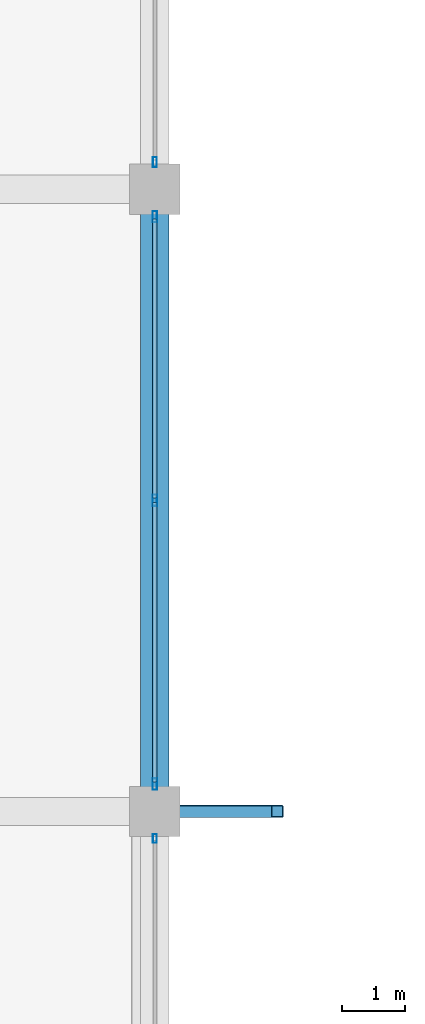
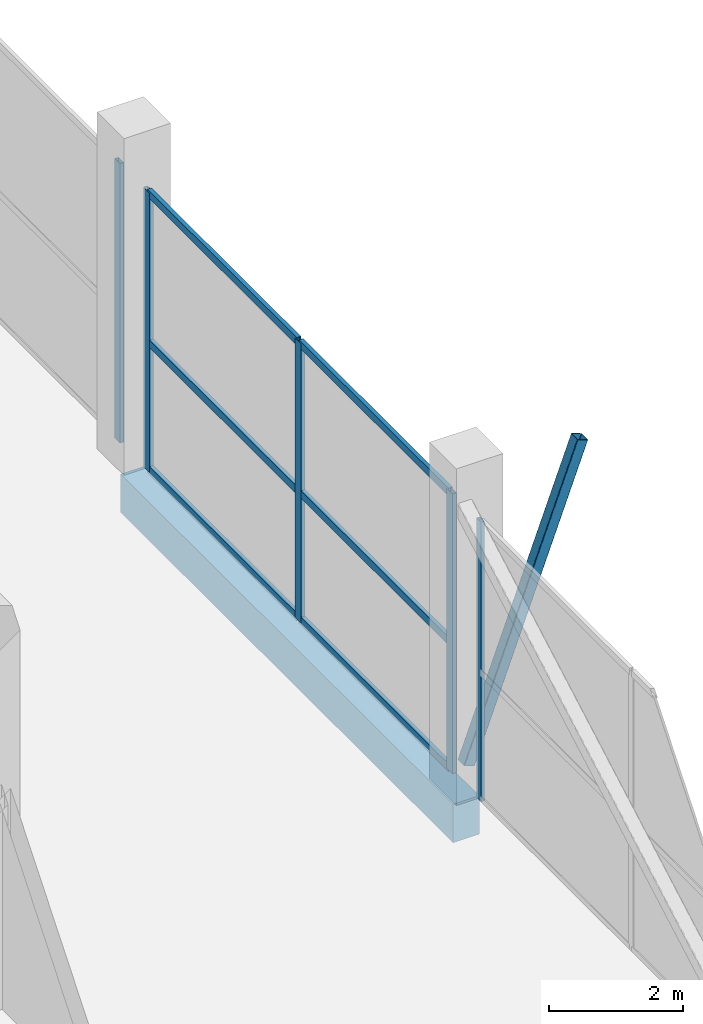
# One storey, part 12 of 46: 12 members, 1 beam, 3 elements without a shape of their own.
"""IFC4 building model written with IfcOpenShell, lengths in metres."""

from ifc_helpers import new_model, si_unit, direction, frame, origin, origin_2d, place, context, subcontext, project, spatial, rectangle, hollow_rectangle, extrude, material, layer, layer_set, material_profile, profile_set, type_object, element, aggregate, save


model = new_model("IFC4")

# Units and contexts
model_context = context("Model", 3, precision=1e-05, world=origin(), true_north=direction((0.0, 1.0)))
body_context = subcontext(model_context, "Body", "Model", "MODEL_VIEW")
ifc_project = project(units=[si_unit("LENGTHUNIT", "METRE"), si_unit("AREAUNIT", "SQUARE_METRE"), si_unit("VOLUMEUNIT", "CUBIC_METRE"), si_unit("PLANEANGLEUNIT", "RADIAN"), si_unit("MASSUNIT", "GRAM", prefix="KILO")], contexts=[model_context])

# Site, building, storey
site_placement = place(None, origin())
site = spatial("IfcSite", under=ifc_project, at=site_placement, CompositionType="ELEMENT")
building_placement = place(site_placement, origin())
building = spatial("IfcBuilding", under=site, at=building_placement, Name="Sillaruma Civic Art Gallery", CompositionType="ELEMENT")
storey_placement = place(building_placement, frame((0.0, 0.0, 16.320068359375)))
storey = spatial("IfcBuildingStorey", under=building, at=storey_placement, Name="L03", CompositionType="ELEMENT", Elevation=16.320068359375)

# Beam
ifc_material_1 = material(Name="Concrete H35 (35 MPa)", Category="concrete")
ifc_material_profile_1 = material_profile(ifc_material_1, rectangle(XDim=0.449951171875, YDim=0.699951171875, at=origin_2d()), Name="RCB450x700")
ifc_profile_set_1 = profile_set([ifc_material_profile_1], Name="Concrete H35 (35 MPa)")
beam_type = type_object("IfcBeamType", Name="BM-SPANDREL-RCB450x700", PredefinedType="SPANDREL", material=ifc_profile_set_1)
beam_placement = place(storey_placement, frame((114.39990234375, 49.5, -0.630126953125), z_axis=(0.0, 1.0, 0.0), x_axis=(-1.0, 0.0, 0.0)))
element("IfcBeam", 1, at=beam_placement, inside=storey, type_object=beam_type, Name="Beam BS-03 (L02:N:6-7)", PredefinedType="SPANDREL", context=body_context, shape_type="SweptSolid", body=[
    extrude(rectangle(XDim=0.449951171875, YDim=0.699951171875, at=origin_2d()), origin(), (0.0, 0.0, 1.0), 9.89990234375),
])

# Curtain wall, member
ifc_material_2 = material(Name="Thermally Broken Extruded Aluminium 6063-T6", Category="aluminium")
ifc_layer_1 = layer(ifc_material_2, 0.139892578125, Name="Thermally Broken Extruded Aluminium 6063-T6")
ifc_layer_set_1 = layer_set([ifc_layer_1], Name="Thermally Broken Extruded Aluminium 6063-T6")
curtain_wall_type_1 = type_object("IfcCurtainWallType", Name="CW-UNI-20", PredefinedType="NOTDEFINED", material=ifc_layer_set_1)
curtain_wall_1_placement = place(storey_placement, origin())
curtain_wall_1 = element("IfcCurtainWall", 2, at=curtain_wall_1_placement, inside=storey, type_object=curtain_wall_type_1, Name="Unitised Curtain Wall CW-20 (CW-L03-E-3)", PredefinedType="NOTDEFINED")
ifc_material_profile_2 = material_profile(ifc_material_2, hollow_rectangle(XDim=0.06005859375, YDim=0.139892578125, WallThickness=0.00341796875, at=origin_2d()), Name="CWM60x140")
ifc_profile_set_2 = profile_set([ifc_material_profile_2], Name="Thermally Broken Extruded Aluminium 6063-T6")
member_type_1 = type_object("IfcMemberType", Name="MEM-MUL-CWM60x140", PredefinedType="MULLION", material=ifc_profile_set_2)
member_1_placement = place(storey_placement, frame((114.39990234375, 49.070068359375, 0.0), z_axis=(0.0, 0.0, 1.0), x_axis=(-1.0, 0.0, 0.0)))
member_1 = element("IfcMember", 3, at=member_1_placement, type_object=member_type_1, Name="CW-20 mullion 3", PredefinedType="MULLION", context=body_context, shape_type="SweptSolid", body=[
    extrude(hollow_rectangle(XDim=0.06005859375, YDim=0.139892578125, WallThickness=0.00341796875, at=origin_2d()), origin(), (0.0, 0.0, 1.0), 5.079833984375),
])
aggregate(curtain_wall_1, [member_1])

ifc_layer_2 = layer(ifc_material_2, 0.159912109375, Name="Thermally Broken Extruded Aluminium 6063-T6")
ifc_layer_set_2 = layer_set([ifc_layer_2], Name="Thermally Broken Extruded Aluminium 6063-T6")
curtain_wall_type_2 = type_object("IfcCurtainWallType", Name="CW-UNI-24", PredefinedType="NOTDEFINED", material=ifc_layer_set_2)
curtain_wall_2_placement = place(storey_placement, origin())
curtain_wall_2 = element("IfcCurtainWall", 4, at=curtain_wall_2_placement, inside=storey, type_object=curtain_wall_type_2, Name="Unitised Curtain Wall CW-24 (CW-L03-E-5)", PredefinedType="NOTDEFINED")
ifc_material_profile_3 = material_profile(ifc_material_2, hollow_rectangle(XDim=0.06494140625, YDim=0.159912109375, WallThickness=0.00390625, at=origin_2d()), Name="CWM65x160")
ifc_profile_set_3 = profile_set([ifc_material_profile_3], Name="Thermally Broken Extruded Aluminium 6063-T6")
member_type_2 = type_object("IfcMemberType", Name="MEM-MUL-CWM65x160", PredefinedType="MULLION", material=ifc_profile_set_3)
member_2_placement = place(storey_placement, frame((114.39990234375, 59.83251953125, 0.0), z_axis=(0.0, 0.0, 1.0), x_axis=(-1.0, 0.0, 0.0)))
member_2 = element("IfcMember", 5, at=member_2_placement, type_object=member_type_2, Name="CW-24 mullion 1", PredefinedType="MULLION", context=body_context, shape_type="SweptSolid", body=[
    extrude(hollow_rectangle(XDim=0.06494140625, YDim=0.159912109375, WallThickness=0.00390625, at=origin_2d()), origin(), (0.0, 0.0, 1.0), 5.079833984375),
])
aggregate(curtain_wall_2, [member_2])

# Curtain wall, members
ifc_layer_3 = layer(ifc_material_2, 0.179931640625, Name="Thermally Broken Extruded Aluminium 6063-T6")
ifc_layer_set_3 = layer_set([ifc_layer_3], Name="Thermally Broken Extruded Aluminium 6063-T6")
curtain_wall_type_3 = type_object("IfcCurtainWallType", Name="CW-UNI-22", PredefinedType="NOTDEFINED", material=ifc_layer_set_3)
curtain_wall_3_placement = place(storey_placement, origin())
curtain_wall_3 = element("IfcCurtainWall", 6, at=curtain_wall_3_placement, inside=storey, type_object=curtain_wall_type_3, Name="Unitised Curtain Wall CW-22 (CW-L03-E-4)", PredefinedType="NOTDEFINED")
ifc_material_profile_4 = material_profile(ifc_material_2, hollow_rectangle(XDim=0.070068359375, YDim=0.179931640625, WallThickness=0.00390625, at=origin_2d()), Name="CWM70x180")
ifc_profile_set_4 = profile_set([ifc_material_profile_4], Name="Thermally Broken Extruded Aluminium 6063-T6")
member_type_3 = type_object("IfcMemberType", Name="MEM-MUL-CWM70x180", PredefinedType="MULLION", material=ifc_profile_set_4)
member_3_placement = place(storey_placement, frame((114.39990234375, 49.93505859375, 0.0), z_axis=(0.0, 0.0, 1.0), x_axis=(-1.0, 0.0, 0.0)))
member_3 = element("IfcMember", 7, at=member_3_placement, type_object=member_type_3, Name="CW-22 mullion 1", PredefinedType="MULLION", context=body_context, shape_type="SweptSolid", body=[
    extrude(hollow_rectangle(XDim=0.070068359375, YDim=0.179931640625, WallThickness=0.00390625, at=origin_2d()), origin(), (0.0, 0.0, 1.0), 5.079833984375),
])
member_4_placement = place(storey_placement, frame((114.39990234375, 54.449951171875, 0.0), z_axis=(0.0, 0.0, 1.0), x_axis=(-1.0, 0.0, 0.0)))
member_4 = element("IfcMember", 8, at=member_4_placement, type_object=member_type_3, Name="CW-22 mullion 2", PredefinedType="MULLION", context=body_context, shape_type="SweptSolid", body=[
    extrude(hollow_rectangle(XDim=0.070068359375, YDim=0.179931640625, WallThickness=0.00390625, at=origin_2d()), origin(), (0.0, 0.0, 1.0), 5.079833984375),
])
member_5_placement = place(storey_placement, frame((114.39990234375, 58.965087890625, 0.0), z_axis=(0.0, 0.0, 1.0), x_axis=(-1.0, 0.0, 0.0)))
member_5 = element("IfcMember", 9, at=member_5_placement, type_object=member_type_3, Name="CW-22 mullion 3", PredefinedType="MULLION", context=body_context, shape_type="SweptSolid", body=[
    extrude(hollow_rectangle(XDim=0.070068359375, YDim=0.179931640625, WallThickness=0.00390625, at=origin_2d()), origin(), (0.0, 0.0, 1.0), 5.079833984375),
])

# Member
ifc_material_3 = material(Name="Structural Steel ASTM A500 Gr.C", Category="steel")
ifc_material_profile_5 = material_profile(ifc_material_3, hollow_rectangle(XDim=0.199951171875, YDim=0.199951171875, WallThickness=0.010009765625, InnerFilletRadius=0.010009765625, OuterFilletRadius=0.02001953125, at=origin_2d()), Name="HSS200x200x10")
ifc_profile_set_5 = profile_set([ifc_material_profile_5], Name="Structural Steel ASTM A500 Gr.C")
member_type_4 = type_object("IfcMemberType", Name="MEM-PROW-BRACE", PredefinedType="BRACE", material=ifc_profile_set_5)
member_6_placement = place(storey_placement, frame((114.39990234375, 49.5, 0.39990234375), z_axis=(0.348530489684, 0.0, 0.93729744359), x_axis=(0.0, 1.0, 0.0)))
element("IfcMember", 10, at=member_6_placement, inside=storey, type_object=member_type_4, Name="Deconstructivist Prow Diagonal Brace (PRW-L04-E-FLR-S)", PredefinedType="BRACE", context=body_context, shape_type="SweptSolid", body=[
    extrude(hollow_rectangle(XDim=0.199951171875, YDim=0.199951171875, WallThickness=0.010009765625, InnerFilletRadius=0.010009765625, OuterFilletRadius=0.02001953125, at=origin_2d()), origin(), (0.0, 0.0, 1.0), 5.595458984375),
])

ifc_material_profile_6 = material_profile(ifc_material_2, hollow_rectangle(XDim=0.070068359375, YDim=0.139892578125, WallThickness=0.00390625, at=origin_2d()), Name="CWT70x140")
ifc_profile_set_6 = profile_set([ifc_material_profile_6], Name="Thermally Broken Extruded Aluminium 6063-T6")
member_type_5 = type_object("IfcMemberType", Name="MEM-TRN-CWT70x140", PredefinedType="USERDEFINED", material=ifc_profile_set_6)
member_7_placement = place(storey_placement, frame((114.39990234375, 49.969970703125, 0.034912109375), z_axis=(0.0, 1.0, 0.0), x_axis=(-1.0, 0.0, 0.0)))
member_7 = element("IfcMember", 11, at=member_7_placement, type_object=member_type_5, Name="CW-22 transom 1.1", ObjectType="TRANSOM", PredefinedType="USERDEFINED", context=body_context, shape_type="SweptSolid", body=[
    extrude(hollow_rectangle(XDim=0.070068359375, YDim=0.139892578125, WallThickness=0.00390625, at=origin_2d()), origin(), (0.0, 0.0, 1.0), 4.445068359375),
])

member_8_placement = place(storey_placement, frame((114.39990234375, 49.969970703125, 2.336669921875), z_axis=(0.0, 1.0, 0.0), x_axis=(-1.0, 0.0, 0.0)))
member_8 = element("IfcMember", 12, at=member_8_placement, type_object=member_type_5, Name="CW-22 transom 1.2", ObjectType="TRANSOM", PredefinedType="USERDEFINED", context=body_context, shape_type="SweptSolid", body=[
    extrude(hollow_rectangle(XDim=0.070068359375, YDim=0.139892578125, WallThickness=0.00390625, at=origin_2d()), origin(), (0.0, 0.0, 1.0), 4.445068359375),
])

member_9_placement = place(storey_placement, frame((114.39990234375, 49.969970703125, 5.044921875), z_axis=(0.0, 1.0, 0.0), x_axis=(-1.0, 0.0, 0.0)))
member_9 = element("IfcMember", 13, at=member_9_placement, type_object=member_type_5, Name="CW-22 transom 1.3", ObjectType="TRANSOM", PredefinedType="USERDEFINED", context=body_context, shape_type="SweptSolid", body=[
    extrude(hollow_rectangle(XDim=0.070068359375, YDim=0.139892578125, WallThickness=0.00390625, at=origin_2d()), origin(), (0.0, 0.0, 1.0), 4.445068359375),
])

member_10_placement = place(storey_placement, frame((114.39990234375, 54.485107421875, 0.034912109375), z_axis=(0.0, 1.0, 0.0), x_axis=(-1.0, 0.0, 0.0)))
member_10 = element("IfcMember", 14, at=member_10_placement, type_object=member_type_5, Name="CW-22 transom 2.1", ObjectType="TRANSOM", PredefinedType="USERDEFINED", context=body_context, shape_type="SweptSolid", body=[
    extrude(hollow_rectangle(XDim=0.070068359375, YDim=0.139892578125, WallThickness=0.00390625, at=origin_2d()), origin(), (0.0, 0.0, 1.0), 4.44482421875),
])

member_11_placement = place(storey_placement, frame((114.39990234375, 54.485107421875, 2.336669921875), z_axis=(0.0, 1.0, 0.0), x_axis=(-1.0, 0.0, 0.0)))
member_11 = element("IfcMember", 15, at=member_11_placement, type_object=member_type_5, Name="CW-22 transom 2.2", ObjectType="TRANSOM", PredefinedType="USERDEFINED", context=body_context, shape_type="SweptSolid", body=[
    extrude(hollow_rectangle(XDim=0.070068359375, YDim=0.139892578125, WallThickness=0.00390625, at=origin_2d()), origin(), (0.0, 0.0, 1.0), 4.44482421875),
])

member_12_placement = place(storey_placement, frame((114.39990234375, 54.485107421875, 5.044921875), z_axis=(0.0, 1.0, 0.0), x_axis=(-1.0, 0.0, 0.0)))
member_12 = element("IfcMember", 16, at=member_12_placement, type_object=member_type_5, Name="CW-22 transom 2.3", ObjectType="TRANSOM", PredefinedType="USERDEFINED", context=body_context, shape_type="SweptSolid", body=[
    extrude(hollow_rectangle(XDim=0.070068359375, YDim=0.139892578125, WallThickness=0.00390625, at=origin_2d()), origin(), (0.0, 0.0, 1.0), 4.44482421875),
])

aggregate(curtain_wall_3, [member_3, member_4, member_5, member_7, member_8, member_9, member_10, member_11, member_12])

save(model, "model.ifc")
